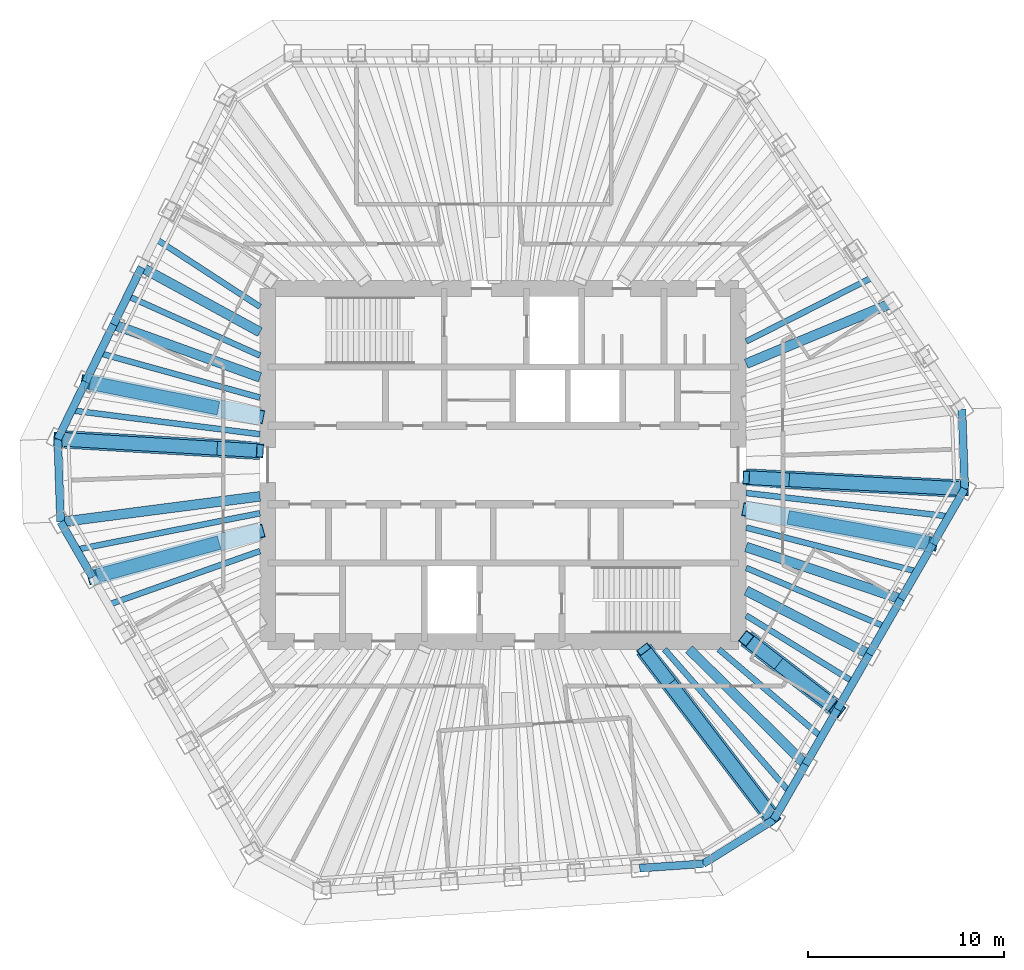
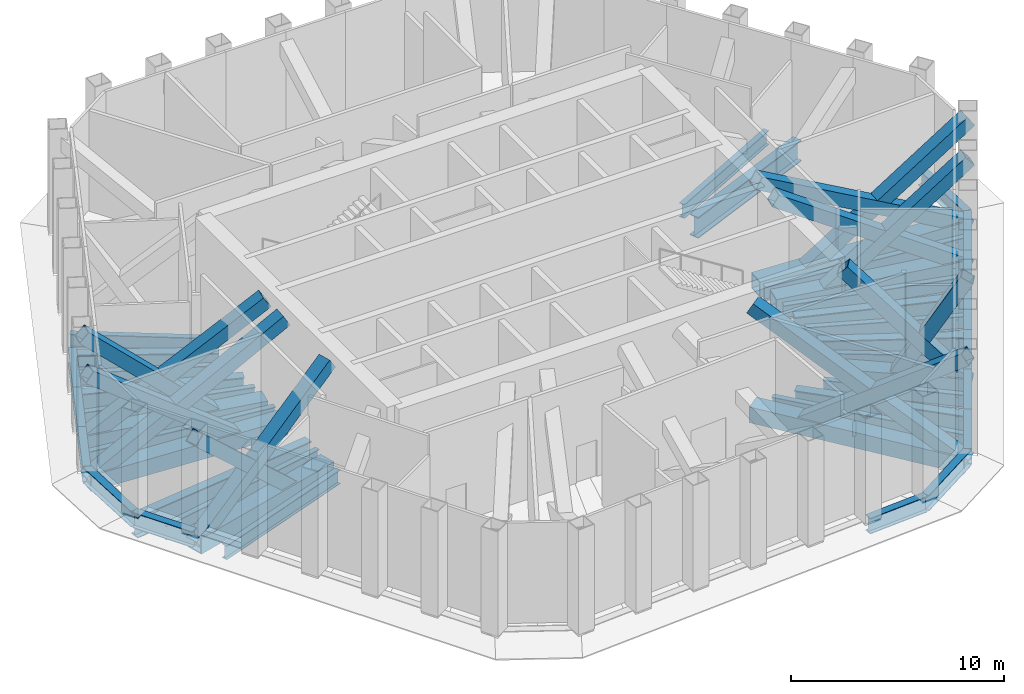
# One storey, part 2 of 10: 41 beams, 14 members.
"""IFC4 building model written with IfcOpenShell, lengths in metres."""

from ifc_helpers import new_model, si_unit, direction, frame, origin, origin_2d, place, context, subcontext, project, spatial, hollow_rectangle, i_section, extrude, material, material_profile, profile_set, type_object, element, save


model = new_model("IFC4")

# Units and contexts
model_context = context("Model", 3, precision=1e-05, world=origin(), true_north=direction((0.0, 1.0)))
body_context = subcontext(model_context, "Body", "Model", "MODEL_VIEW")
ifc_project = project(units=[si_unit("LENGTHUNIT", "METRE"), si_unit("AREAUNIT", "SQUARE_METRE"), si_unit("VOLUMEUNIT", "CUBIC_METRE"), si_unit("PLANEANGLEUNIT", "RADIAN"), si_unit("MASSUNIT", "GRAM", prefix="KILO")], contexts=[model_context])

# Site, building, storey
site_placement = place(None, origin())
site = spatial("IfcSite", under=ifc_project, at=site_placement, CompositionType="ELEMENT")
building_placement = place(site_placement, origin())
building = spatial("IfcBuilding", under=site, at=building_placement, Name="Qingtian Harvest Tower", CompositionType="ELEMENT")
storey_placement = place(building_placement, frame((0.0, 0.0, 337.60009765625)))
storey = spatial("IfcBuildingStorey", under=building, at=storey_placement, Name="L75", CompositionType="ELEMENT", Elevation=337.60009765625)

# Beams
ifc_material_1 = material(Name="Steel SN490B", Category="steel")
ifc_material_profile_1 = material_profile(ifc_material_1, i_section(OverallWidth=0.300048828125, OverallDepth=0.800048828125, WebThickness=0.013916015625, FlangeThickness=0.02587890625, at=origin_2d()), Name="H800x300x14x26")
ifc_profile_set_1 = profile_set([ifc_material_profile_1], Name="Steel SN490B")
beam_type_1 = type_object("IfcBeamType", Name="Floor joist J1 H800x300x14x26", PredefinedType="JOIST", material=ifc_profile_set_1)
beam_1_placement = place(storey_placement, frame((18.864990234375, 9.585693359375, -0.68017578125), z_axis=(-0.891519956149, -0.452981421018, 0.0), x_axis=(0.452981421018, -0.891519956149, 0.0)))
element("IfcBeam", 1, at=beam_1_placement, inside=storey, type_object=beam_type_1, Name="Floor joist J1 NE3", PredefinedType="JOIST", context=body_context, shape_type="SweptSolid", body=[
    extrude(i_section(OverallWidth=0.300048828125, OverallDepth=0.800048828125, WebThickness=0.013916015625, FlangeThickness=0.02587890625, at=origin_2d()), origin(), (0.0, 0.0, 1.0), 7.251708984375),
])
beam_2_placement = place(storey_placement, frame((22.735595703125, -2.62060546875, -0.68017578125), z_axis=(-0.993421775836, 0.114512773499, 0.0), x_axis=(-0.114512773499, -0.993421775836, 0.0)))
element("IfcBeam", 2, at=beam_2_placement, inside=storey, type_object=beam_type_1, Name="Floor joist J1 SE0", PredefinedType="JOIST", context=body_context, shape_type="SweptSolid", body=[
    extrude(i_section(OverallWidth=0.300048828125, OverallDepth=0.800048828125, WebThickness=0.013916015625, FlangeThickness=0.02587890625, at=origin_2d()), origin(), (0.0, 0.0, 1.0), 10.404052734375),
])
beam_3_placement = place(storey_placement, frame((21.111572265625, -5.43359375, -0.68017578125), z_axis=(-0.968438109541, 0.249254143374, 0.0), x_axis=(-0.249254143374, -0.968438109541, 0.0)))
element("IfcBeam", 3, at=beam_3_placement, inside=storey, type_object=beam_type_1, Name="Floor joist J1 SE1", PredefinedType="JOIST", context=body_context, shape_type="SweptSolid", body=[
    extrude(i_section(OverallWidth=0.300048828125, OverallDepth=0.800048828125, WebThickness=0.013916015625, FlangeThickness=0.02587890625, at=origin_2d()), origin(), (0.0, 0.0, 1.0), 8.99560546875),
])
beam_4_placement = place(storey_placement, frame((19.487548828125, -8.246337890625, -0.68017578125), z_axis=(-0.92094842321, 0.389684490052, 0.0), x_axis=(-0.389684490052, -0.92094842321, 0.0)))
element("IfcBeam", 4, at=beam_4_placement, inside=storey, type_object=beam_type_1, Name="Floor joist J1 SE2", PredefinedType="JOIST", context=body_context, shape_type="SweptSolid", body=[
    extrude(i_section(OverallWidth=0.300048828125, OverallDepth=0.800048828125, WebThickness=0.013916015625, FlangeThickness=0.02587890625, at=origin_2d()), origin(), (0.0, 0.0, 1.0), 7.696044921875),
])
beam_5_placement = place(storey_placement, frame((17.863525390625, -11.059326171875, -0.68017578125), z_axis=(-0.850242474743, 0.526391236765, 0.0), x_axis=(-0.526391236765, -0.850242474743, 0.0)))
element("IfcBeam", 5, at=beam_5_placement, inside=storey, type_object=beam_type_1, Name="Floor joist J1 SE3", PredefinedType="JOIST", context=body_context, shape_type="SweptSolid", body=[
    extrude(i_section(OverallWidth=0.300048828125, OverallDepth=0.800048828125, WebThickness=0.013916015625, FlangeThickness=0.02587890625, at=origin_2d()), origin(), (0.0, 0.0, 1.0), 6.426025390625),
])
beam_6_placement = place(storey_placement, frame((16.239501953125, -13.8720703125, -0.68017578125), z_axis=(-0.760351789284, 0.649511475289, 0.0), x_axis=(-0.649511475289, -0.760351789284, 0.0)))
element("IfcBeam", 6, at=beam_6_placement, inside=storey, type_object=beam_type_1, Name="Floor joist J1 SE4", PredefinedType="JOIST", context=body_context, shape_type="SweptSolid", body=[
    extrude(i_section(OverallWidth=0.300048828125, OverallDepth=0.800048828125, WebThickness=0.013916015625, FlangeThickness=0.02587890625, at=origin_2d()), origin(), (0.0, 0.0, 1.0), 6.885498046875),
])
beam_7_placement = place(storey_placement, frame((14.615478515625, -16.68505859375, -0.68017578125), z_axis=(-0.658904284354, 0.75222679031, 0.0), x_axis=(-0.75222679031, -0.658904284354, 0.0)))
element("IfcBeam", 7, at=beam_7_placement, inside=storey, type_object=beam_type_1, Name="Floor joist J1 SE5", PredefinedType="JOIST", context=body_context, shape_type="SweptSolid", body=[
    extrude(i_section(OverallWidth=0.300048828125, OverallDepth=0.800048828125, WebThickness=0.013916015625, FlangeThickness=0.02587890625, at=origin_2d()), origin(), (0.0, 0.0, 1.0), 9.684814453125),
])
beam_8_placement = place(storey_placement, frame((-20.133544921875, -7.1279296875, -0.68017578125), z_axis=(0.942664093486, 0.333743025174, 0.0), x_axis=(-0.333743025174, 0.942664093486, 0.0)))
element("IfcBeam", 8, at=beam_8_placement, inside=storey, type_object=beam_type_1, Name="Floor joist J1 SW4", PredefinedType="JOIST", context=body_context, shape_type="SweptSolid", body=[
    extrude(i_section(OverallWidth=0.300048828125, OverallDepth=0.800048828125, WebThickness=0.013916015625, FlangeThickness=0.02587890625, at=origin_2d()), origin(), (0.0, 0.0, 1.0), 8.2041015625),
])
beam_9_placement = place(storey_placement, frame((-21.757568359375, -4.31494140625, -0.68017578125), z_axis=(0.980898289228, 0.194521325796, 0.0), x_axis=(-0.194521325796, 0.980898289228, 0.0)))
element("IfcBeam", 9, at=beam_9_placement, inside=storey, type_object=beam_type_1, Name="Floor joist J1 SW5", PredefinedType="JOIST", context=body_context, shape_type="SweptSolid", body=[
    extrude(i_section(OverallWidth=0.300048828125, OverallDepth=0.800048828125, WebThickness=0.013916015625, FlangeThickness=0.02587890625, at=origin_2d()), origin(), (0.0, 0.0, 1.0), 9.539794921875),
])
beam_10_placement = place(storey_placement, frame((-22.00537109375, 2.78662109375, -0.68017578125), z_axis=(0.992077984062, -0.125623538954, 0.0), x_axis=(0.125623538954, 0.992077984062, 0.0)))
element("IfcBeam", 10, at=beam_10_placement, inside=storey, type_object=beam_type_1, Name="Floor joist J1 NW0", PredefinedType="JOIST", context=body_context, shape_type="SweptSolid", body=[
    extrude(i_section(OverallWidth=0.300048828125, OverallDepth=0.800048828125, WebThickness=0.013916015625, FlangeThickness=0.02587890625, at=origin_2d()), origin(), (0.0, 0.0, 1.0), 9.68212890625),
])
beam_11_placement = place(storey_placement, frame((-20.58154296875, 5.7060546875, -0.68017578125), z_axis=(0.963650445063, -0.267166277306, 0.0), x_axis=(0.267166277306, 0.963650445063, 0.0)))
element("IfcBeam", 11, at=beam_11_placement, inside=storey, type_object=beam_type_1, Name="Floor joist J1 NW1", PredefinedType="JOIST", context=body_context, shape_type="SweptSolid", body=[
    extrude(i_section(OverallWidth=0.300048828125, OverallDepth=0.800048828125, WebThickness=0.013916015625, FlangeThickness=0.02587890625, at=origin_2d()), origin(), (0.0, 0.0, 1.0), 8.490234375),
])
beam_12_placement = place(storey_placement, frame((-19.15771484375, 8.625244140625, -0.68017578125), z_axis=(0.911847523905, -0.410529040567, 0.0), x_axis=(0.410529040567, 0.911847523905, 0.0)))
element("IfcBeam", 12, at=beam_12_placement, inside=storey, type_object=beam_type_1, Name="Floor joist J1 NW2", PredefinedType="JOIST", context=body_context, shape_type="SweptSolid", body=[
    extrude(i_section(OverallWidth=0.300048828125, OverallDepth=0.800048828125, WebThickness=0.013916015625, FlangeThickness=0.02587890625, at=origin_2d()), origin(), (0.0, 0.0, 1.0), 7.4111328125),
])
beam_13_placement = place(storey_placement, frame((-17.73388671875, 11.544677734375, -0.68017578125), z_axis=(0.83806130614, -0.545576069079, 0.0), x_axis=(0.545576069079, 0.83806130614, 0.0)))
element("IfcBeam", 13, at=beam_13_placement, inside=storey, type_object=beam_type_1, Name="Floor joist J1 NW3", PredefinedType="JOIST", context=body_context, shape_type="SweptSolid", body=[
    extrude(i_section(OverallWidth=0.300048828125, OverallDepth=0.800048828125, WebThickness=0.013916015625, FlangeThickness=0.02587890625, at=origin_2d()), origin(), (0.0, 0.0, 1.0), 6.36474609375),
])
ifc_material_2 = material(Name="Steel SM570MC", Category="steel")
ifc_material_profile_2 = material_profile(ifc_material_2, hollow_rectangle(XDim=0.89990234375, YDim=0.89990234375, WallThickness=0.06005859375, at=origin_2d()), Name="BOX900x900x60")
ifc_profile_set_2 = profile_set([ifc_material_profile_2], Name="Steel SM570MC")
beam_type_2 = type_object("IfcBeamType", Name="Outrigger chord beam OC1 BOX900x900x60", PredefinedType="BEAM", material=ifc_profile_set_2)
beam_14_placement = place(storey_placement, frame((23.547607421875, -1.21435546875, -0.72998046875), z_axis=(-0.998672618964, 0.051507282312, 0.0), x_axis=(-0.051507282312, -0.998672618964, 0.0)))
element("IfcBeam", 14, at=beam_14_placement, inside=storey, type_object=beam_type_2, Name="Floor beam OC1 SE0", PredefinedType="BEAM", context=body_context, shape_type="SweptSolid", body=[
    extrude(hollow_rectangle(XDim=0.89990234375, YDim=0.89990234375, WallThickness=0.06005859375, at=origin_2d()), origin(), (0.0, 0.0, 1.0), 11.16259765625),
])
beam_15_placement = place(storey_placement, frame((21.923583984375, -4.027099609375, -0.72998046875), z_axis=(-0.983546800525, 0.180653511389, 0.0), x_axis=(-0.180653511389, -0.983546800525, 0.0)))
element("IfcBeam", 15, at=beam_15_placement, inside=storey, type_object=beam_type_2, Name="Floor beam OC1 SE1", PredefinedType="BEAM", context=body_context, shape_type="SweptSolid", body=[
    extrude(hollow_rectangle(XDim=0.89990234375, YDim=0.89990234375, WallThickness=0.06005859375, at=origin_2d()), origin(), (0.0, 0.0, 1.0), 9.68310546875),
])
beam_16_placement = place(storey_placement, frame((17.051513671875, -12.4658203125, -0.72998046875), z_axis=(-0.789532919969, 0.613708211029, 0.0), x_axis=(-0.613708211029, -0.789532919969, 0.0)))
element("IfcBeam", 16, at=beam_16_placement, inside=storey, type_object=beam_type_2, Name="Floor beam OC1 SE4", PredefinedType="BEAM", context=body_context, shape_type="SweptSolid", body=[
    extrude(hollow_rectangle(XDim=0.89990234375, YDim=0.89990234375, WallThickness=0.06005859375, at=origin_2d()), origin(), (0.0, 0.0, 1.0), 5.8916015625),
])
beam_17_placement = place(storey_placement, frame((13.803466796875, -18.091552734375, -0.72998046875), z_axis=(-0.606571927806, 0.795028613572, 0.0), x_axis=(-0.795028613572, -0.606571927806, 0.0)))
element("IfcBeam", 17, at=beam_17_placement, inside=storey, type_object=beam_type_2, Name="Floor beam OC1 SE6", PredefinedType="BEAM", context=body_context, shape_type="SweptSolid", body=[
    extrude(hollow_rectangle(XDim=0.89990234375, YDim=0.89990234375, WallThickness=0.06005859375, at=origin_2d()), origin(), (0.0, 0.0, 1.0), 10.9326171875),
])
beam_18_placement = place(storey_placement, frame((-20.945556640625, -5.721435546875, -0.72998046875), z_axis=(0.96466071762, 0.26349516102, 0.0), x_axis=(-0.26349516102, 0.96466071762, 0.0)))
element("IfcBeam", 18, at=beam_18_placement, inside=storey, type_object=beam_type_2, Name="Floor beam OC1 SW5", PredefinedType="BEAM", context=body_context, shape_type="SweptSolid", body=[
    extrude(hollow_rectangle(XDim=0.89990234375, YDim=0.89990234375, WallThickness=0.06005859375, at=origin_2d()), origin(), (0.0, 0.0, 1.0), 8.858642578125),
])
beam_19_placement = place(storey_placement, frame((-22.71728515625, 1.3271484375, -0.72998046875), z_axis=(0.998297672445, -0.058324584791, 0.0), x_axis=(0.058324584791, 0.998297672445, 0.0)))
element("IfcBeam", 19, at=beam_19_placement, inside=storey, type_object=beam_type_2, Name="Floor beam OC1 NW0", PredefinedType="BEAM", context=body_context, shape_type="SweptSolid", body=[
    extrude(hollow_rectangle(XDim=0.89990234375, YDim=0.89990234375, WallThickness=0.06005859375, at=origin_2d()), origin(), (0.0, 0.0, 1.0), 10.3349609375),
])
beam_20_placement = place(storey_placement, frame((-21.29345703125, 4.246337890625, -0.72998046875), z_axis=(0.980692343585, -0.195556966723, 0.0), x_axis=(0.195556966723, 0.980692343585, 0.0)))
element("IfcBeam", 20, at=beam_20_placement, inside=storey, type_object=beam_type_2, Name="Floor beam OC1 NW1", PredefinedType="BEAM", context=body_context, shape_type="SweptSolid", body=[
    extrude(hollow_rectangle(XDim=0.89990234375, YDim=0.89990234375, WallThickness=0.06005859375, at=origin_2d()), origin(), (0.0, 0.0, 1.0), 9.068603515625),
])

# Members
ifc_material_3 = material(Name="Steel SM570MC", Category="steel")
ifc_material_profile_3 = material_profile(ifc_material_3, hollow_rectangle(XDim=0.699951171875, YDim=0.699951171875, WallThickness=0.0400390625, at=origin_2d()), Name="BOX700x700x40")
ifc_profile_set_3 = profile_set([ifc_material_profile_3], Name="Steel SM570MC")
member_type = type_object("IfcMemberType", Name="Outrigger diagonal OT4 BOX700x700x40", PredefinedType="BRACE", material=ifc_profile_set_3)
member_1_placement = place(storey_placement, frame((21.923583984375, -4.027099609375, -0.72998046875), z_axis=(-0.834900871806, 0.153350886885, 0.528605750772), x_axis=(-0.180653511389, -0.983546800525, 0.0)))
element("IfcMember", 21, at=member_1_placement, inside=storey, type_object=member_type, Name="Outrigger diagonal OT4 L75 SE1-1", PredefinedType="BRACE", context=body_context, shape_type="SweptSolid", body=[
    extrude(hollow_rectangle(XDim=0.699951171875, YDim=0.699951171875, WallThickness=0.0400390625, at=origin_2d()), origin(), (0.0, 0.0, 1.0), 11.406982421875),
])
member_2_placement = place(storey_placement, frame((14.760498046875, -2.71142578125, -0.72998046875), z_axis=(0.757588845593, -0.139149498599, 0.637727651958), x_axis=(0.180652182132, 0.983547044676, 0.0)))
element("IfcMember", 22, at=member_2_placement, inside=storey, type_object=member_type, Name="Outrigger diagonal OT4 L75 SE1-2", PredefinedType="BRACE", context=body_context, shape_type="SweptSolid", body=[
    extrude(hollow_rectangle(XDim=0.699951171875, YDim=0.699951171875, WallThickness=0.0400390625, at=origin_2d()), origin(), (0.0, 0.0, 1.0), 9.455078125),
])
member_3_placement = place(storey_placement, frame((-21.29345703125, 4.246337890625, -0.72998046875), z_axis=(0.816648948574, -0.162845557331, 0.553683862191), x_axis=(0.195556966723, 0.980692343585, 0.0)))
element("IfcMember", 23, at=member_3_placement, inside=storey, type_object=member_type, Name="Outrigger diagonal OT4 L75 NW1-1", PredefinedType="BRACE", context=body_context, shape_type="SweptSolid", body=[
    extrude(hollow_rectangle(XDim=0.699951171875, YDim=0.699951171875, WallThickness=0.0400390625, at=origin_2d()), origin(), (0.0, 0.0, 1.0), 10.890380859375),
])
member_4_placement = place(storey_placement, frame((-14.753662109375, 2.942138671875, -0.72998046875), z_axis=(-0.727415879409, 0.145064980319, 0.670687922859), x_axis=(-0.195573986221, -0.980688949624, 0.0)))
element("IfcMember", 24, at=member_4_placement, inside=storey, type_object=member_type, Name="Outrigger diagonal OT4 L75 NW1-2", PredefinedType="BRACE", context=body_context, shape_type="SweptSolid", body=[
    extrude(hollow_rectangle(XDim=0.699951171875, YDim=0.699951171875, WallThickness=0.0400390625, at=origin_2d()), origin(), (0.0, 0.0, 1.0), 8.990478515625),
])
member_5_placement = place(storey_placement, frame((-20.945556640625, -5.721435546875, -0.72998046875), z_axis=(0.797458184233, 0.217824120774, 0.562683833791), x_axis=(-0.26349516102, 0.96466071762, 0.0)))
element("IfcMember", 25, at=member_5_placement, inside=storey, type_object=member_type, Name="Outrigger diagonal OT4 L75 SW5-1", PredefinedType="BRACE", context=body_context, shape_type="SweptSolid", body=[
    extrude(hollow_rectangle(XDim=0.699951171875, YDim=0.699951171875, WallThickness=0.0400390625, at=origin_2d()), origin(), (0.0, 0.0, 1.0), 10.716064453125),
])
member_6_placement = place(storey_placement, frame((-14.715087890625, -4.01953125, -0.72998046875), z_axis=(-0.705129394556, -0.192611951781, 0.682417154653), x_axis=(0.263504399348, -0.964658194141, 0.0)))
element("IfcMember", 26, at=member_6_placement, inside=storey, type_object=member_type, Name="Outrigger diagonal OT4 L75 SW5-2", PredefinedType="BRACE", context=body_context, shape_type="SweptSolid", body=[
    extrude(hollow_rectangle(XDim=0.699951171875, YDim=0.699951171875, WallThickness=0.0400390625, at=origin_2d()), origin(), (0.0, 0.0, 1.0), 8.8359375),
])
member_7_placement = place(storey_placement, frame((17.051513671875, -12.4658203125, -0.72998046875), z_axis=(-0.551775688782, 0.428898228671, 0.715255128407), x_axis=(-0.613708211029, -0.789532919969, 0.0)))
element("IfcMember", 27, at=member_7_placement, inside=storey, type_object=member_type, Name="Outrigger diagonal OT4 L75 SE4-1", PredefinedType="BRACE", context=body_context, shape_type="SweptSolid", body=[
    extrude(hollow_rectangle(XDim=0.699951171875, YDim=0.699951171875, WallThickness=0.0400390625, at=origin_2d()), origin(), (0.0, 0.0, 1.0), 8.43017578125),
])
member_8_placement = place(storey_placement, frame((14.294921875, -10.322998046875, -0.72998046875), z_axis=(0.395624550197, -0.307536682055, 0.865391474694), x_axis=(0.61372759029, 0.789517855983, 0.0)))
element("IfcMember", 28, at=member_8_placement, inside=storey, type_object=member_type, Name="Outrigger diagonal OT4 L75 SE4-2", PredefinedType="BRACE", context=body_context, shape_type="SweptSolid", body=[
    extrude(hollow_rectangle(XDim=0.699951171875, YDim=0.699951171875, WallThickness=0.0400390625, at=origin_2d()), origin(), (0.0, 0.0, 1.0), 6.9677734375),
])
member_9_placement = place(storey_placement, frame((13.803466796875, -18.091552734375, -0.72998046875), z_axis=(-0.531140684991, 0.696161531786, 0.482958273983), x_axis=(-0.795028613572, -0.606571927806, 0.0)))
element("IfcMember", 29, at=member_9_placement, inside=storey, type_object=member_type, Name="Outrigger diagonal OT4 L75 SE6-1", PredefinedType="BRACE", context=body_context, shape_type="SweptSolid", body=[
    extrude(hollow_rectangle(XDim=0.699951171875, YDim=0.699951171875, WallThickness=0.0400390625, at=origin_2d()), origin(), (0.0, 0.0, 1.0), 12.485107421875),
])
member_10_placement = place(storey_placement, frame((8.6279296875, -11.30810546875, -0.72998046875), z_axis=(0.49536390609, -0.649261103388, 0.577126173528), x_axis=(0.795024958965, 0.606576717837, 0.0)))
element("IfcMember", 30, at=member_10_placement, inside=storey, type_object=member_type, Name="Outrigger diagonal OT4 L75 SE6-2", PredefinedType="BRACE", context=body_context, shape_type="SweptSolid", body=[
    extrude(hollow_rectangle(XDim=0.699951171875, YDim=0.699951171875, WallThickness=0.0400390625, at=origin_2d()), origin(), (0.0, 0.0, 1.0), 10.447998046875),
])
member_11_placement = place(storey_placement, frame((23.547607421875, -1.21435546875, -0.72998046875), z_axis=(-0.878670832949, 0.04531810104, 0.475272381949), x_axis=(-0.051507282312, -0.998672618964, 0.0)))
element("IfcMember", 31, at=member_11_placement, inside=storey, type_object=member_type, Name="Outrigger diagonal OT4 L75 SE0-1", PredefinedType="BRACE", context=body_context, shape_type="SweptSolid", body=[
    extrude(hollow_rectangle(XDim=0.699951171875, YDim=0.699951171875, WallThickness=0.0400390625, at=origin_2d()), origin(), (0.0, 0.0, 1.0), 12.68701171875),
])
member_12_placement = place(storey_placement, frame((14.796875, -0.762939453125, -0.72998046875), z_axis=(0.822699627733, -0.042439851901, 0.566889920089), x_axis=(0.051517581959, 0.998672087699, 0.0)))
element("IfcMember", 32, at=member_12_placement, inside=storey, type_object=member_type, Name="Outrigger diagonal OT4 L75 SE0-2", PredefinedType="BRACE", context=body_context, shape_type="SweptSolid", body=[
    extrude(hollow_rectangle(XDim=0.699951171875, YDim=0.699951171875, WallThickness=0.0400390625, at=origin_2d()), origin(), (0.0, 0.0, 1.0), 10.63671875),
])
member_13_placement = place(storey_placement, frame((-22.71728515625, 1.3271484375, -0.72998046875), z_axis=(0.862270373269, -0.050377320199, 0.503936433483), x_axis=(0.058324584791, 0.998297672445, 0.0)))
element("IfcMember", 33, at=member_13_placement, inside=storey, type_object=member_type, Name="Outrigger diagonal OT4 L75 NW0-1", PredefinedType="BRACE", context=body_context, shape_type="SweptSolid", body=[
    extrude(hollow_rectangle(XDim=0.699951171875, YDim=0.699951171875, WallThickness=0.0400390625, at=origin_2d()), origin(), (0.0, 0.0, 1.0), 11.96533203125),
])
member_14_placement = place(storey_placement, frame((-14.7958984375, 0.8642578125, -0.72998046875), z_axis=(-0.794841978777, 0.046447031738, 0.60503628157), x_axis=(-0.058336038897, -0.998297003184, 0.0)))
element("IfcMember", 34, at=member_14_placement, inside=storey, type_object=member_type, Name="Outrigger diagonal OT4 L75 NW0-2", PredefinedType="BRACE", context=body_context, shape_type="SweptSolid", body=[
    extrude(hollow_rectangle(XDim=0.699951171875, YDim=0.699951171875, WallThickness=0.0400390625, at=origin_2d()), origin(), (0.0, 0.0, 1.0), 9.966064453125),
])

# Beams
ifc_material_4 = material(Name="Steel SM570MC", Category="steel")
ifc_material_profile_4 = material_profile(ifc_material_4, i_section(OverallWidth=0.5, OverallDepth=1.199951171875, WebThickness=0.02490234375, FlangeThickness=0.050048828125, at=origin_2d()), Name="H1200x500x25x50")
ifc_profile_set_4 = profile_set([ifc_material_profile_4], Name="Steel SM570MC")
beam_type_3 = type_object("IfcBeamType", Name="Plant corner beam FB10 H1200x500x25x50", PredefinedType="BEAM", material=ifc_profile_set_4)
beam_21_placement = place(storey_placement, frame((-22.569580078125, -2.908447265625, -0.880126953125), z_axis=(0.991798519758, 0.127811174026, 0.0), x_axis=(-0.127811174026, 0.991798519758, 0.0)))
element("IfcBeam", 35, at=beam_21_placement, inside=storey, type_object=beam_type_3, Name="Floor beam FB10 SW6", PredefinedType="BEAM", context=body_context, shape_type="SweptSolid", body=[
    extrude(i_section(OverallWidth=0.5, OverallDepth=1.199951171875, WebThickness=0.02490234375, FlangeThickness=0.050048828125, at=origin_2d()), origin(), (0.0, 0.0, 1.0), 10.253662109375),
])
ifc_material_5 = material(Name="Steel SM570MC", Category="steel")
ifc_material_profile_5 = material_profile(ifc_material_5, i_section(OverallWidth=0.5, OverallDepth=1.199951171875, WebThickness=0.02490234375, FlangeThickness=0.050048828125, at=origin_2d()), Name="H1200x500x25x50")
ifc_profile_set_5 = profile_set([ifc_material_profile_5], Name="Steel SM570MC")
beam_type_4 = type_object("IfcBeamType", Name="Plant floor beam FB7 H1200x500x25x50", PredefinedType="BEAM", material=ifc_profile_set_5)
beam_22_placement = place(storey_placement, frame((19.77294921875, 8.2392578125, -0.880126953125), z_axis=(-0.923069688542, -0.38463274704, 0.0), x_axis=(0.38463274704, -0.923069688542, 0.0)))
element("IfcBeam", 36, at=beam_22_placement, inside=storey, type_object=beam_type_4, Name="Floor beam FB7 NE4", PredefinedType="BEAM", context=body_context, shape_type="SweptSolid", body=[
    extrude(i_section(OverallWidth=0.5, OverallDepth=1.199951171875, WebThickness=0.02490234375, FlangeThickness=0.050048828125, at=origin_2d()), origin(), (0.0, 0.0, 1.0), 7.987548828125),
])
beam_23_placement = place(storey_placement, frame((20.299560546875, -6.840087890625, -0.880126953125), z_axis=(-0.947647345861, 0.319318818553, 0.0), x_axis=(-0.319318818553, -0.947647345861, 0.0)))
element("IfcBeam", 37, at=beam_23_placement, inside=storey, type_object=beam_type_4, Name="Floor beam FB7 SE2", PredefinedType="BEAM", context=body_context, shape_type="SweptSolid", body=[
    extrude(i_section(OverallWidth=0.5, OverallDepth=1.199951171875, WebThickness=0.02490234375, FlangeThickness=0.050048828125, at=origin_2d()), origin(), (0.0, 0.0, 1.0), 8.336181640625),
])
beam_24_placement = place(storey_placement, frame((18.675537109375, -9.65283203125, -0.880126953125), z_axis=(-0.888354253651, 0.459158708967, 0.0), x_axis=(-0.459158708967, -0.888354253651, 0.0)))
element("IfcBeam", 38, at=beam_24_placement, inside=storey, type_object=beam_type_4, Name="Floor beam FB7 SE3", PredefinedType="BEAM", context=body_context, shape_type="SweptSolid", body=[
    extrude(i_section(OverallWidth=0.5, OverallDepth=1.199951171875, WebThickness=0.02490234375, FlangeThickness=0.050048828125, at=origin_2d()), origin(), (0.0, 0.0, 1.0), 7.064453125),
])
beam_25_placement = place(storey_placement, frame((15.427490234375, -15.278564453125, -0.880126953125), z_axis=(-0.71051769643, 0.703679332552, 0.0), x_axis=(-0.703679332552, -0.71051769643, 0.0)))
element("IfcBeam", 39, at=beam_25_placement, inside=storey, type_object=beam_type_4, Name="Floor beam FB7 SE5", PredefinedType="BEAM", context=body_context, shape_type="SweptSolid", body=[
    extrude(i_section(OverallWidth=0.5, OverallDepth=1.199951171875, WebThickness=0.02490234375, FlangeThickness=0.050048828125, at=origin_2d()), origin(), (0.0, 0.0, 1.0), 8.354248046875),
])
beam_26_placement = place(storey_placement, frame((-19.86962890625, 7.165771484375, -0.880126953125), z_axis=(0.940696778834, -0.339248537641, 0.0), x_axis=(0.339248537641, 0.940696778834, 0.0)))
element("IfcBeam", 40, at=beam_26_placement, inside=storey, type_object=beam_type_4, Name="Floor beam FB7 NW2", PredefinedType="BEAM", context=body_context, shape_type="SweptSolid", body=[
    extrude(i_section(OverallWidth=0.5, OverallDepth=1.199951171875, WebThickness=0.02490234375, FlangeThickness=0.050048828125, at=origin_2d()), origin(), (0.0, 0.0, 1.0), 7.940673828125),
])
beam_27_placement = place(storey_placement, frame((-18.44580078125, 10.0849609375, -0.880126953125), z_axis=(0.877427999734, -0.479708354402, 0.0), x_axis=(0.479708354402, 0.877427999734, 0.0)))
element("IfcBeam", 41, at=beam_27_placement, inside=storey, type_object=beam_type_4, Name="Floor beam FB7 NW3", PredefinedType="BEAM", context=body_context, shape_type="SweptSolid", body=[
    extrude(i_section(OverallWidth=0.5, OverallDepth=1.199951171875, WebThickness=0.02490234375, FlangeThickness=0.050048828125, at=origin_2d()), origin(), (0.0, 0.0, 1.0), 6.890380859375),
])
ifc_material_6 = material(Name="Steel SN490B", Category="steel")
ifc_material_profile_6 = material_profile(ifc_material_6, i_section(OverallWidth=0.39990234375, OverallDepth=0.89990234375, WebThickness=0.01904296875, FlangeThickness=0.035888671875, at=origin_2d()), Name="H900x400x19x36")
ifc_profile_set_6 = profile_set([ifc_material_profile_6], Name="Steel SN490B")
beam_type_5 = type_object("IfcBeamType", Name="Spandrel beam SB4 H900x400x19x36", PredefinedType="SPANDREL", material=ifc_profile_set_6)
beam_28_placement = place(storey_placement, frame((23.405517578125, 2.85400390625, -0.4501953125), z_axis=(0.034904306503, -0.999390659046, 0.0), x_axis=(0.999390659046, 0.034904306503, 0.0)))
element("IfcBeam", 42, at=beam_28_placement, inside=storey, type_object=beam_type_5, Name="Spandrel SB4 NEC", PredefinedType="SPANDREL", context=body_context, shape_type="SweptSolid", body=[
    extrude(i_section(OverallWidth=0.39990234375, OverallDepth=0.89990234375, WebThickness=0.01904296875, FlangeThickness=0.035888671875, at=origin_2d()), origin(), (0.0, 0.0, 1.0), 4.07080078125),
])
beam_29_placement = place(storey_placement, frame((23.547607421875, -1.21435546875, -0.4501953125), z_axis=(-0.500019593356, -0.866014091259, 0.0), x_axis=(0.866014091259, -0.500019593356, 0.0)))
element("IfcBeam", 43, at=beam_29_placement, inside=storey, type_object=beam_type_5, Name="Spandrel SB4 SE0", PredefinedType="SPANDREL", context=body_context, shape_type="SweptSolid", body=[
    extrude(i_section(OverallWidth=0.39990234375, OverallDepth=0.89990234375, WebThickness=0.01904296875, FlangeThickness=0.035888671875, at=origin_2d()), origin(), (0.0, 0.0, 1.0), 3.247802734375),
])
beam_30_placement = place(storey_placement, frame((21.923583984375, -4.027099609375, -0.4501953125), z_axis=(-0.499987045439, -0.866032882975, 0.0), x_axis=(0.866032882975, -0.499987045439, 0.0)))
element("IfcBeam", 44, at=beam_30_placement, inside=storey, type_object=beam_type_5, Name="Spandrel SB4 SE1", PredefinedType="SPANDREL", context=body_context, shape_type="SweptSolid", body=[
    extrude(i_section(OverallWidth=0.39990234375, OverallDepth=0.89990234375, WebThickness=0.01904296875, FlangeThickness=0.035888671875, at=origin_2d()), origin(), (0.0, 0.0, 1.0), 3.248046875),
])
beam_31_placement = place(storey_placement, frame((20.299560546875, -6.840087890625, -0.4501953125), z_axis=(-0.500019593356, -0.866014091259, 0.0), x_axis=(0.866014091259, -0.500019593356, 0.0)))
element("IfcBeam", 45, at=beam_31_placement, inside=storey, type_object=beam_type_5, Name="Spandrel SB4 SE2", PredefinedType="SPANDREL", context=body_context, shape_type="SweptSolid", body=[
    extrude(i_section(OverallWidth=0.39990234375, OverallDepth=0.89990234375, WebThickness=0.01904296875, FlangeThickness=0.035888671875, at=origin_2d()), origin(), (0.0, 0.0, 1.0), 3.247802734375),
])
beam_32_placement = place(storey_placement, frame((18.675537109375, -9.65283203125, -0.4501953125), z_axis=(-0.499987045439, -0.866032882975, 0.0), x_axis=(0.866032882975, -0.499987045439, 0.0)))
element("IfcBeam", 46, at=beam_32_placement, inside=storey, type_object=beam_type_5, Name="Spandrel SB4 SE3", PredefinedType="SPANDREL", context=body_context, shape_type="SweptSolid", body=[
    extrude(i_section(OverallWidth=0.39990234375, OverallDepth=0.89990234375, WebThickness=0.01904296875, FlangeThickness=0.035888671875, at=origin_2d()), origin(), (0.0, 0.0, 1.0), 3.248046875),
])
beam_33_placement = place(storey_placement, frame((17.051513671875, -12.4658203125, -0.4501953125), z_axis=(-0.500019593356, -0.866014091259, 0.0), x_axis=(0.866014091259, -0.500019593356, 0.0)))
element("IfcBeam", 47, at=beam_33_placement, inside=storey, type_object=beam_type_5, Name="Spandrel SB4 SE4", PredefinedType="SPANDREL", context=body_context, shape_type="SweptSolid", body=[
    extrude(i_section(OverallWidth=0.39990234375, OverallDepth=0.89990234375, WebThickness=0.01904296875, FlangeThickness=0.035888671875, at=origin_2d()), origin(), (0.0, 0.0, 1.0), 3.247802734375),
])
beam_34_placement = place(storey_placement, frame((15.427490234375, -15.278564453125, -0.4501953125), z_axis=(-0.499987045439, -0.866032882975, 0.0), x_axis=(0.866032882975, -0.499987045439, 0.0)))
element("IfcBeam", 48, at=beam_34_placement, inside=storey, type_object=beam_type_5, Name="Spandrel SB4 SE5", PredefinedType="SPANDREL", context=body_context, shape_type="SweptSolid", body=[
    extrude(i_section(OverallWidth=0.39990234375, OverallDepth=0.89990234375, WebThickness=0.01904296875, FlangeThickness=0.035888671875, at=origin_2d()), origin(), (0.0, 0.0, 1.0), 3.248046875),
])
beam_35_placement = place(storey_placement, frame((13.803466796875, -18.091552734375, -0.4501953125), z_axis=(-0.848040374245, -0.529931621675, 0.0), x_axis=(0.529931621675, -0.848040374245, 0.0)))
element("IfcBeam", 49, at=beam_35_placement, inside=storey, type_object=beam_type_5, Name="Spandrel SB4 SEC", PredefinedType="SPANDREL", context=body_context, shape_type="SweptSolid", body=[
    extrude(i_section(OverallWidth=0.39990234375, OverallDepth=0.89990234375, WebThickness=0.01904296875, FlangeThickness=0.035888671875, at=origin_2d()), origin(), (0.0, 0.0, 1.0), 4.238037109375),
])
for number, where, z_axis, x_axis, name in (
    (50, (10.20947265625, -20.33740234375, -0.4501953125), (-0.9975644093, -0.069751339047, 0.0), (0.069751339047, -0.9975644093, 0.0), "Spandrel SB4 S0"),
    (51, (-20.945556640625, -5.721435546875, -0.4501953125), (-0.499987045439, 0.866032882975, 0.0), (-0.866032882975, -0.499987045439, 0.0), "Spandrel SB4 SW5"),
):
    element("IfcBeam", number, at=place(storey_placement, frame(where, z_axis=z_axis, x_axis=x_axis)), inside=storey, type_object=beam_type_5, Name=name, PredefinedType="SPANDREL", context=body_context, shape_type="SweptSolid", body=[
        extrude(i_section(OverallWidth=0.39990234375, OverallDepth=0.89990234375, WebThickness=0.01904296875, FlangeThickness=0.035888671875, at=origin_2d()), origin(), (0.0, 0.0, 1.0), 3.248046875),
    ])
beam_36_placement = place(storey_placement, frame((-22.569580078125, -2.908447265625, -0.4501953125), z_axis=(-0.034851142499, 0.999392514414, 0.0), x_axis=(-0.999392514414, -0.034851142499, 0.0)))
element("IfcBeam", 52, at=beam_36_placement, inside=storey, type_object=beam_type_5, Name="Spandrel SB4 SWC", PredefinedType="SPANDREL", context=body_context, shape_type="SweptSolid", body=[
    extrude(i_section(OverallWidth=0.39990234375, OverallDepth=0.89990234375, WebThickness=0.01904296875, FlangeThickness=0.035888671875, at=origin_2d()), origin(), (0.0, 0.0, 1.0), 4.23828125),
])
beam_37_placement = place(storey_placement, frame((-22.71728515625, 1.3271484375, -0.4501953125), z_axis=(0.438382164311, 0.898788672611, 0.0), x_axis=(-0.898788672611, 0.438382164311, 0.0)))
element("IfcBeam", 53, at=beam_37_placement, inside=storey, type_object=beam_type_5, Name="Spandrel SB4 NW0", PredefinedType="SPANDREL", context=body_context, shape_type="SweptSolid", body=[
    extrude(i_section(OverallWidth=0.39990234375, OverallDepth=0.89990234375, WebThickness=0.01904296875, FlangeThickness=0.035888671875, at=origin_2d()), origin(), (0.0, 0.0, 1.0), 3.247802734375),
])
beam_38_placement = place(storey_placement, frame((-21.29345703125, 4.246337890625, -0.4501953125), z_axis=(0.438352548749, 0.898803116931, 0.0), x_axis=(-0.898803116931, 0.438352548749, 0.0)))
element("IfcBeam", 54, at=beam_38_placement, inside=storey, type_object=beam_type_5, Name="Spandrel SB4 NW1", PredefinedType="SPANDREL", context=body_context, shape_type="SweptSolid", body=[
    extrude(i_section(OverallWidth=0.39990234375, OverallDepth=0.89990234375, WebThickness=0.01904296875, FlangeThickness=0.035888671875, at=origin_2d()), origin(), (0.0, 0.0, 1.0), 3.248046875),
])
beam_39_placement = place(storey_placement, frame((-19.86962890625, 7.165771484375, -0.4501953125), z_axis=(0.438382164311, 0.898788672611, 0.0), x_axis=(-0.898788672611, 0.438382164311, 0.0)))
element("IfcBeam", 55, at=beam_39_placement, inside=storey, type_object=beam_type_5, Name="Spandrel SB4 NW2", PredefinedType="SPANDREL", context=body_context, shape_type="SweptSolid", body=[
    extrude(i_section(OverallWidth=0.39990234375, OverallDepth=0.89990234375, WebThickness=0.01904296875, FlangeThickness=0.035888671875, at=origin_2d()), origin(), (0.0, 0.0, 1.0), 3.247802734375),
])

save(model, "model.ifc")
